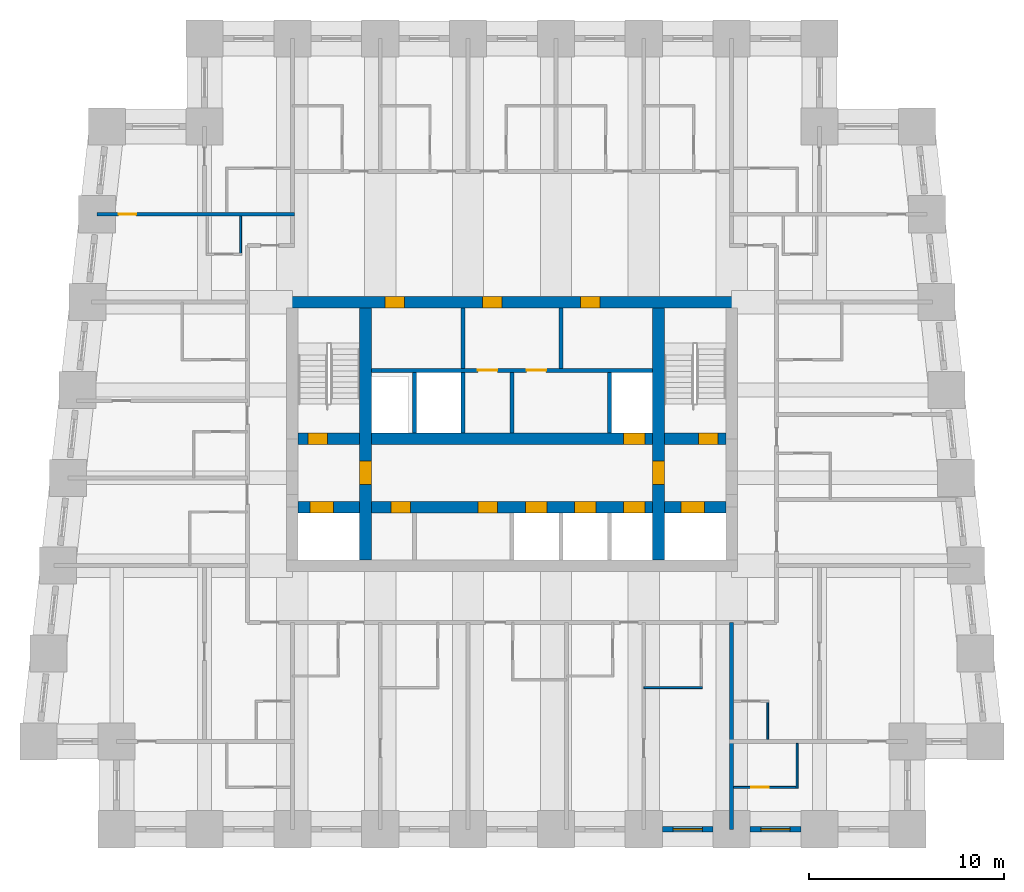
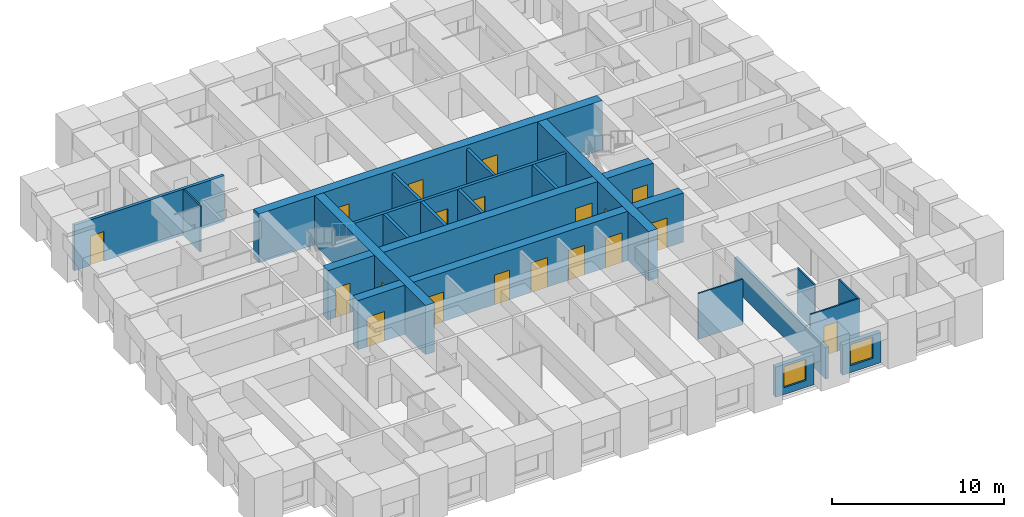
# One storey, part 4 of 8: 21 walls, 19 doors, 2 windows, 21 openings.
"""IFC4 building model written with IfcOpenShell, lengths in metres."""

from ifc_helpers import new_model, si_unit, direction, frame, frame_2d, origin, place, context, subcontext, project, spatial, rectangle, extrude, material, layer, layer_set, type_object, element, fill, save


model = new_model("IFC4")

# Units and contexts
model_context = context("Model", 3, precision=1e-05, world=origin(), true_north=direction((0.0, 1.0)))
body_context = subcontext(model_context, "Body", "Model", "MODEL_VIEW")
ifc_project = project(units=[si_unit("LENGTHUNIT", "METRE"), si_unit("AREAUNIT", "SQUARE_METRE"), si_unit("VOLUMEUNIT", "CUBIC_METRE"), si_unit("PLANEANGLEUNIT", "RADIAN"), si_unit("MASSUNIT", "GRAM", prefix="KILO")], contexts=[model_context])

# Site, building, storey
site_placement = place(None, origin())
site = spatial("IfcSite", under=ifc_project, at=site_placement, CompositionType="ELEMENT")
building_placement = place(site_placement, origin())
building = spatial("IfcBuilding", under=site, at=building_placement, Name="Kilele Tower Hotel", CompositionType="ELEMENT")
storey_placement = place(building_placement, frame((0.0, 0.0, 89.89990234375)))
storey = spatial("IfcBuildingStorey", under=building, at=storey_placement, Name="L22", CompositionType="ELEMENT", Elevation=89.89990234375)

# Walls
ifc_material_1 = material(Name="Moisture-resistant board")
ifc_layer_1 = layer(ifc_material_1, 0.10009765625)
ifc_layer_set_1 = layer_set([ifc_layer_1], Name="Moisture-resistant board")
wall_type_1 = type_object("IfcWallType", Name="Bathroom partition 100", PredefinedType="PLUMBINGWALL", material=ifc_layer_set_1)
wall_1_placement = place(storey_placement, frame((31.5, 7.25, 0.0), z_axis=(0.0, 0.0, 1.0), x_axis=(1.0, 0.0, 0.0)))
element("IfcWall", 1, at=wall_1_placement, inside=storey, type_object=wall_type_1, Name="Bathroom partition 100 L22", PredefinedType="PLUMBINGWALL", context=body_context, shape_type="SweptSolid", body=[
    extrude(rectangle(XDim=3.0, YDim=0.10009765625, at=frame_2d((1.5, 0.0))), origin(), (0.0, 0.0, 1.0), 3.25),
])
wall_2_placement = place(storey_placement, frame((37.85009765625, 4.60009765625, 0.0), z_axis=(0.0, 0.0, 1.0), x_axis=(0.0, 1.0, 0.0)))
element("IfcWall", 2, at=wall_2_placement, inside=storey, type_object=wall_type_1, Name="Bathroom partition 100 L22", PredefinedType="PLUMBINGWALL", context=body_context, shape_type="SweptSolid", body=[
    extrude(rectangle(XDim=2.0, YDim=0.10009765625, at=frame_2d((1.0, 0.0))), origin(), (0.0, 0.0, 1.0), 3.25),
])
wall_3_placement = place(storey_placement, frame((39.35009765625, 4.39990234375, 0.0), z_axis=(0.0, 0.0, 1.0), x_axis=(0.0, -1.0, 0.0)))
element("IfcWall", 3, at=wall_3_placement, inside=storey, type_object=wall_type_1, Name="Bathroom partition 100 L22", PredefinedType="PLUMBINGWALL", context=body_context, shape_type="SweptSolid", body=[
    extrude(rectangle(XDim=2.2998046875, YDim=0.10009765625, at=frame_2d((1.14990234375, 0.0))), origin(), (0.0, 0.0, 1.0), 3.25),
])

# Wall, opening, door
wall_4_placement = place(storey_placement, frame((36.10009765625, 2.14990234375, 0.0), z_axis=(0.0, 0.0, 1.0), x_axis=(1.0, 0.0, 0.0)))
wall_4 = element("IfcWall", 4, at=wall_4_placement, inside=storey, type_object=wall_type_1, Name="Bathroom partition 100 L22", PredefinedType="PLUMBINGWALL", context=body_context, shape_type="SweptSolid", body=[
    extrude(rectangle(XDim=3.2998046875, YDim=0.10009765625, at=frame_2d((1.64990234375, 0.0))), origin(), (0.0, 0.0, 1.0), 3.25),
])
opening_1_placement = place(wall_4_placement, frame((1.7998046875, 0.0, 0.0), z_axis=(0.0, 0.0, 1.0), x_axis=(-1.0, 0.0, 0.0)))
opening_1 = element("IfcOpeningElement", 5, at=opening_1_placement, cuts=wall_4, Name="Opening D2A", PredefinedType="OPENING", context=body_context, shape_type="SweptSolid", body=[
    extrude(rectangle(XDim=0.89990234375, YDim=2.10009765625, at=frame_2d((0.449951171875, 1.050048828125))), frame((0.0, 0.06005859375, 0.0), z_axis=(0.0, -1.0, 0.0), x_axis=(1.0, 0.0, 0.0)), (0.0, 0.0, 1.0), 0.1201171875),
])
ifc_material_2 = material(Name="Timber door leaf in hardwood frame", Category="wood")
door_type_1 = type_object("IfcDoorType", Name="Bathroom door 900", OperationType="SINGLE_SWING_LEFT", PredefinedType="DOOR", material=ifc_material_2)
door_1_placement = place(opening_1_placement, origin())
door_1 = element("IfcDoor", 6, at=door_1_placement, inside=storey, type_object=door_type_1, Name="Bathroom door 2222B", OperationType="SINGLE_SWING_RIGHT", OverallHeight=2.10009765625, OverallWidth=0.89990234375, PredefinedType="DOOR", context=body_context, shape_type="SweptSolid", body=[
    extrude(rectangle(XDim=0.89990234375, YDim=2.10009765625, at=frame_2d((0.449951171875, 1.050048828125))), frame((0.0, 0.02490234375, 0.0), z_axis=(0.0, -1.0, 0.0), x_axis=(1.0, 0.0, 0.0)), (0.0, 0.0, 1.0), 0.050048828125),
])
fill(opening_1, door_1)

# Wall
wall_5_placement = place(storey_placement, frame((10.85009765625, 31.39990234375, 0.0), z_axis=(0.0, 0.0, 1.0), x_axis=(0.0, -1.0, 0.0)))
element("IfcWall", 7, at=wall_5_placement, inside=storey, type_object=wall_type_1, Name="Bathroom partition 100 L22", PredefinedType="PLUMBINGWALL", context=body_context, shape_type="SweptSolid", body=[
    extrude(rectangle(XDim=2.0, YDim=0.10009765625, at=frame_2d((1.0, 0.0))), origin(), (0.0, 0.0, 1.0), 3.25),
])

# Wall, openings, doors
ifc_material_3 = material(Name="Concrete C60/75", Category="concrete")
ifc_layer_2 = layer(ifc_material_3, 0.60009765625)
ifc_layer_set_2 = layer_set([ifc_layer_2], Name="Concrete C60/75")
wall_type_2 = type_object("IfcWallType", Name="Core wall 600 C60/75", PredefinedType="SHEAR", material=ifc_layer_set_2)
wall_6_placement = place(storey_placement, frame((36.300048828125, 27.0, 0.0), z_axis=(0.0, 0.0, 1.0), x_axis=(-1.0, 0.0, 0.0)))
wall_6 = element("IfcWall", 8, at=wall_6_placement, inside=storey, type_object=wall_type_2, Name="Core wall N L22", PredefinedType="SHEAR", context=body_context, shape_type="SweptSolid", body=[
    extrude(rectangle(XDim=23.10009765625, YDim=0.60009765625, at=frame_2d((11.550048828125, 0.0))), origin(), (0.0, 0.0, 1.0), 3.5),
])
opening_2_placement = place(wall_6_placement, frame((17.050048828125, 0.0, 0.0)))
opening_2 = element("IfcOpeningElement", 9, at=opening_2_placement, cuts=wall_6, Name="Opening D6", PredefinedType="OPENING", context=body_context, shape_type="SweptSolid", body=[
    extrude(rectangle(XDim=1.0, YDim=2.10009765625, at=frame_2d((0.5, 1.050048828125))), frame((0.0, 0.31005859375, 0.0), z_axis=(0.0, -1.0, 0.0), x_axis=(1.0, 0.0, 0.0)), (0.0, 0.0, 1.0), 0.6201171875),
])
opening_3_placement = place(wall_6_placement, frame((12.050048828125, 0.0, 0.0)))
opening_3 = element("IfcOpeningElement", 10, at=opening_3_placement, cuts=wall_6, Name="Opening D6", PredefinedType="OPENING", context=body_context, shape_type="SweptSolid", body=[
    extrude(rectangle(XDim=1.0, YDim=2.10009765625, at=frame_2d((0.5, 1.050048828125))), frame((0.0, 0.31005859375, 0.0), z_axis=(0.0, -1.0, 0.0), x_axis=(1.0, 0.0, 0.0)), (0.0, 0.0, 1.0), 0.6201171875),
])
opening_4_placement = place(wall_6_placement, frame((7.050048828125, 0.0, 0.0)))
opening_4 = element("IfcOpeningElement", 11, at=opening_4_placement, cuts=wall_6, Name="Opening D6", PredefinedType="OPENING", context=body_context, shape_type="SweptSolid", body=[
    extrude(rectangle(XDim=1.0, YDim=2.10009765625, at=frame_2d((0.5, 1.050048828125))), frame((0.0, 0.31005859375, 0.0), z_axis=(0.0, -1.0, 0.0), x_axis=(1.0, 0.0, 0.0)), (0.0, 0.0, 1.0), 0.6201171875),
])
ifc_material_4 = material(Name="Timber door leaf in hardwood frame", Category="wood")
door_type_2 = type_object("IfcDoorType", Name="Riser door 1000", OperationType="SINGLE_SWING_LEFT", PredefinedType="DOOR", material=ifc_material_4)
door_2_placement = place(opening_2_placement, origin())
door_2 = element("IfcDoor", 12, at=door_2_placement, inside=storey, type_object=door_type_2, Name="Service riser door L22", OperationType="SINGLE_SWING_RIGHT", OverallHeight=2.10009765625, OverallWidth=1.0, PredefinedType="DOOR", context=body_context, shape_type="SweptSolid", body=[
    extrude(rectangle(XDim=1.0, YDim=2.10009765625, at=frame_2d((0.5, 1.050048828125))), frame((0.0, 0.2998046875, 0.0), z_axis=(0.0, -1.0, 0.0), x_axis=(1.0, 0.0, 0.0)), (0.0, 0.0, 1.0), 0.599609375),
])
fill(opening_2, door_2)
door_3_placement = place(opening_3_placement, origin())
door_3 = element("IfcDoor", 13, at=door_3_placement, inside=storey, type_object=door_type_2, Name="Housekeeping store door L22", OperationType="SINGLE_SWING_RIGHT", OverallHeight=2.10009765625, OverallWidth=1.0, PredefinedType="DOOR", context=body_context, shape_type="SweptSolid", body=[
    extrude(rectangle(XDim=1.0, YDim=2.10009765625, at=frame_2d((0.5, 1.050048828125))), frame((0.0, 0.2998046875, 0.0), z_axis=(0.0, -1.0, 0.0), x_axis=(1.0, 0.0, 0.0)), (0.0, 0.0, 1.0), 0.599609375),
])
fill(opening_3, door_3)
door_4_placement = place(opening_4_placement, origin())
door_4 = element("IfcDoor", 14, at=door_4_placement, inside=storey, type_object=door_type_2, Name="Electrical riser door L22", OperationType="SINGLE_SWING_RIGHT", OverallHeight=2.10009765625, OverallWidth=1.0, PredefinedType="DOOR", context=body_context, shape_type="SweptSolid", body=[
    extrude(rectangle(XDim=1.0, YDim=2.10009765625, at=frame_2d((0.5, 1.050048828125))), frame((0.0, 0.2998046875, 0.0), z_axis=(0.0, -1.0, 0.0), x_axis=(1.0, 0.0, 0.0)), (0.0, 0.0, 1.0), 0.599609375),
])
fill(opening_4, door_4)

# Wall, opening, door
wall_7_placement = place(storey_placement, frame((17.25, 13.800048828125, 0.0), z_axis=(0.0, 0.0, 1.0), x_axis=(0.0, 1.0, 0.0)))
wall_7 = element("IfcWall", 15, at=wall_7_placement, inside=storey, type_object=wall_type_2, Name="Core wall IW L22", PredefinedType="SHEAR", context=body_context, shape_type="SweptSolid", body=[
    extrude(rectangle(XDim=12.89990234375, YDim=0.60009765625, at=frame_2d((6.449951171875, 0.0))), origin(), (0.0, 0.0, 1.0), 3.5),
])
opening_5_placement = place(wall_7_placement, frame((3.85009765625, 0.0, 0.0)))
opening_5 = element("IfcOpeningElement", 16, at=opening_5_placement, cuts=wall_7, Name="Opening D4", PredefinedType="OPENING", context=body_context, shape_type="SweptSolid", body=[
    extrude(rectangle(XDim=1.199951171875, YDim=2.10009765625, at=frame_2d((0.60009765625, 1.050048828125))), frame((0.0, 0.31005859375, 0.0), z_axis=(0.0, -1.0, 0.0), x_axis=(1.0, 0.0, 0.0)), (0.0, 0.0, 1.0), 0.6201171875),
])
ifc_material_5 = material(Name="Timber door leaf in hardwood frame", Category="wood")
door_type_3 = type_object("IfcDoorType", Name="Firefighting lobby door 1200", OperationType="SINGLE_SWING_LEFT", PredefinedType="DOOR", material=ifc_material_5)
door_5_placement = place(opening_5_placement, origin())
door_5 = element("IfcDoor", 17, at=door_5_placement, inside=storey, type_object=door_type_3, Name="Lobby door L22", OperationType="SINGLE_SWING_LEFT", OverallHeight=2.10009765625, OverallWidth=1.199951171875, PredefinedType="DOOR", context=body_context, shape_type="SweptSolid", body=[
    extrude(rectangle(XDim=1.199951171875, YDim=2.10009765625, at=frame_2d((0.60009765625, 1.050048828125))), frame((0.0, 0.2998046875, 0.0), z_axis=(0.0, -1.0, 0.0), x_axis=(1.0, 0.0, 0.0)), (0.0, 0.0, 1.0), 0.599609375),
])
fill(opening_5, door_5)

wall_8_placement = place(storey_placement, frame((32.25, 13.800048828125, 0.0), z_axis=(0.0, 0.0, 1.0), x_axis=(0.0, 1.0, 0.0)))
wall_8 = element("IfcWall", 18, at=wall_8_placement, inside=storey, type_object=wall_type_2, Name="Core wall IE L22", PredefinedType="SHEAR", context=body_context, shape_type="SweptSolid", body=[
    extrude(rectangle(XDim=12.89990234375, YDim=0.60009765625, at=frame_2d((6.449951171875, 0.0))), origin(), (0.0, 0.0, 1.0), 3.5),
])
opening_6_placement = place(wall_8_placement, frame((5.050048828125, 0.0, 0.0), z_axis=(0.0, 0.0, 1.0), x_axis=(-1.0, 0.0, 0.0)))
opening_6 = element("IfcOpeningElement", 19, at=opening_6_placement, cuts=wall_8, Name="Opening D4", PredefinedType="OPENING", context=body_context, shape_type="SweptSolid", body=[
    extrude(rectangle(XDim=1.199951171875, YDim=2.10009765625, at=frame_2d((0.60009765625, 1.050048828125))), frame((0.0, 0.31005859375, 0.0), z_axis=(0.0, -1.0, 0.0), x_axis=(1.0, 0.0, 0.0)), (0.0, 0.0, 1.0), 0.6201171875),
])
door_6_placement = place(opening_6_placement, origin())
door_6 = element("IfcDoor", 20, at=door_6_placement, inside=storey, type_object=door_type_3, Name="Lobby door L22", OperationType="SINGLE_SWING_RIGHT", OverallHeight=2.10009765625, OverallWidth=1.199951171875, PredefinedType="DOOR", context=body_context, shape_type="SweptSolid", body=[
    extrude(rectangle(XDim=1.199951171875, YDim=2.10009765625, at=frame_2d((0.60009765625, 1.050048828125))), frame((0.0, 0.2998046875, 0.0), z_axis=(0.0, -1.0, 0.0), x_axis=(1.0, 0.0, 0.0)), (0.0, 0.0, 1.0), 0.599609375),
])
fill(opening_6, door_6)

# Wall, openings, doors
wall_9_placement = place(storey_placement, frame((13.800048828125, 16.5, 0.0), z_axis=(0.0, 0.0, 1.0), x_axis=(1.0, 0.0, 0.0)))
wall_9 = element("IfcWall", 21, at=wall_9_placement, inside=storey, type_object=wall_type_2, Name="Core wall LS L22", PredefinedType="SHEAR", context=body_context, shape_type="SweptSolid", body=[
    extrude(rectangle(XDim=21.89990234375, YDim=0.60009765625, at=frame_2d((10.949951171875, 0.0))), origin(), (0.0, 0.0, 1.0), 3.5),
])
opening_7_placement = place(wall_9_placement, frame((11.64990234375, 0.0, 0.0)))
opening_7 = element("IfcOpeningElement", 22, at=opening_7_placement, cuts=wall_9, Name="Opening LD1", PredefinedType="OPENING", context=body_context, shape_type="SweptSolid", body=[
    extrude(rectangle(XDim=1.10009765625, YDim=2.10009765625, at=frame_2d((0.550048828125, 1.050048828125))), frame((0.0, 0.31005859375, 0.0), z_axis=(0.0, -1.0, 0.0), x_axis=(1.0, 0.0, 0.0)), (0.0, 0.0, 1.0), 0.6201171875),
])
opening_8_placement = place(wall_9_placement, frame((14.14990234375, 0.0, 0.0)))
opening_8 = element("IfcOpeningElement", 23, at=opening_8_placement, cuts=wall_9, Name="Opening LD1", PredefinedType="OPENING", context=body_context, shape_type="SweptSolid", body=[
    extrude(rectangle(XDim=1.10009765625, YDim=2.10009765625, at=frame_2d((0.550048828125, 1.050048828125))), frame((0.0, 0.31005859375, 0.0), z_axis=(0.0, -1.0, 0.0), x_axis=(1.0, 0.0, 0.0)), (0.0, 0.0, 1.0), 0.6201171875),
])
opening_9_placement = place(wall_9_placement, frame((16.64990234375, 0.0, 0.0)))
opening_9 = element("IfcOpeningElement", 24, at=opening_9_placement, cuts=wall_9, Name="Opening LD1", PredefinedType="OPENING", context=body_context, shape_type="SweptSolid", body=[
    extrude(rectangle(XDim=1.10009765625, YDim=2.10009765625, at=frame_2d((0.550048828125, 1.050048828125))), frame((0.0, 0.31005859375, 0.0), z_axis=(0.0, -1.0, 0.0), x_axis=(1.0, 0.0, 0.0)), (0.0, 0.0, 1.0), 0.6201171875),
])
opening_10_placement = place(wall_9_placement, frame((5.75, 0.0, 0.0), z_axis=(0.0, 0.0, 1.0), x_axis=(-1.0, 0.0, 0.0)))
opening_10 = element("IfcOpeningElement", 25, at=opening_10_placement, cuts=wall_9, Name="Opening D11", PredefinedType="OPENING", context=body_context, shape_type="SweptSolid", body=[
    extrude(rectangle(XDim=1.0, YDim=2.10009765625, at=frame_2d((0.5, 1.050048828125))), frame((0.0, 0.31005859375, 0.0), z_axis=(0.0, -1.0, 0.0), x_axis=(1.0, 0.0, 0.0)), (0.0, 0.0, 1.0), 0.6201171875),
])
opening_11_placement = place(wall_9_placement, frame((10.199951171875, 0.0, 0.0), z_axis=(0.0, 0.0, 1.0), x_axis=(-1.0, 0.0, 0.0)))
opening_11 = element("IfcOpeningElement", 26, at=opening_11_placement, cuts=wall_9, Name="Opening D11", PredefinedType="OPENING", context=body_context, shape_type="SweptSolid", body=[
    extrude(rectangle(XDim=1.0, YDim=2.10009765625, at=frame_2d((0.5, 1.050048828125))), frame((0.0, 0.31005859375, 0.0), z_axis=(0.0, -1.0, 0.0), x_axis=(1.0, 0.0, 0.0)), (0.0, 0.0, 1.0), 0.6201171875),
])
opening_12_placement = place(wall_9_placement, frame((0.60009765625, 0.0, 0.0)))
opening_12 = element("IfcOpeningElement", 27, at=opening_12_placement, cuts=wall_9, Name="Opening LD2", PredefinedType="OPENING", context=body_context, shape_type="SweptSolid", body=[
    extrude(rectangle(XDim=1.199951171875, YDim=2.10009765625, at=frame_2d((0.60009765625, 1.050048828125))), frame((0.0, 0.31005859375, 0.0), z_axis=(0.0, -1.0, 0.0), x_axis=(1.0, 0.0, 0.0)), (0.0, 0.0, 1.0), 0.6201171875),
])
opening_13_placement = place(wall_9_placement, frame((19.60009765625, 0.0, 0.0)))
opening_13 = element("IfcOpeningElement", 28, at=opening_13_placement, cuts=wall_9, Name="Opening LD2", PredefinedType="OPENING", context=body_context, shape_type="SweptSolid", body=[
    extrude(rectangle(XDim=1.199951171875, YDim=2.10009765625, at=frame_2d((0.60009765625, 1.050048828125))), frame((0.0, 0.31005859375, 0.0), z_axis=(0.0, -1.0, 0.0), x_axis=(1.0, 0.0, 0.0)), (0.0, 0.0, 1.0), 0.6201171875),
])
ifc_material_6 = material(Name="Timber door leaf in hardwood frame", Category="wood")
door_type_4 = type_object("IfcDoorType", Name="Core store door 1000", OperationType="SINGLE_SWING_LEFT", PredefinedType="DOOR", material=ifc_material_6)
door_7_placement = place(opening_10_placement, origin())
door_7 = element("IfcDoor", 29, at=door_7_placement, inside=storey, type_object=door_type_4, Name="Core room door L1 L22", OperationType="SINGLE_SWING_LEFT", OverallHeight=2.10009765625, OverallWidth=1.0, PredefinedType="DOOR", context=body_context, shape_type="SweptSolid", body=[
    extrude(rectangle(XDim=1.0, YDim=2.10009765625, at=frame_2d((0.5, 1.050048828125))), frame((0.0, 0.2998046875, 0.0), z_axis=(0.0, -1.0, 0.0), x_axis=(1.0, 0.0, 0.0)), (0.0, 0.0, 1.0), 0.599609375),
])
fill(opening_10, door_7)
door_8_placement = place(opening_11_placement, origin())
door_8 = element("IfcDoor", 30, at=door_8_placement, inside=storey, type_object=door_type_4, Name="Core room door L3 L22", OperationType="SINGLE_SWING_LEFT", OverallHeight=2.10009765625, OverallWidth=1.0, PredefinedType="DOOR", context=body_context, shape_type="SweptSolid", body=[
    extrude(rectangle(XDim=1.0, YDim=2.10009765625, at=frame_2d((0.5, 1.050048828125))), frame((0.0, 0.2998046875, 0.0), z_axis=(0.0, -1.0, 0.0), x_axis=(1.0, 0.0, 0.0)), (0.0, 0.0, 1.0), 0.599609375),
])
fill(opening_11, door_8)
ifc_material_7 = material(Name="Steel lift landing door", Category="steel")
door_type_5 = type_object("IfcDoorType", Name="Firefighting lift landing door 1200", OperationType="SLIDING_TO_LEFT", PredefinedType="DOOR", material=ifc_material_7)
door_9_placement = place(opening_12_placement, origin())
door_9 = element("IfcDoor", 31, at=door_9_placement, inside=storey, type_object=door_type_5, Name="Landing door FFW L22", OperationType="SLIDING_TO_LEFT", OverallHeight=2.10009765625, OverallWidth=1.199951171875, PredefinedType="DOOR", context=body_context, shape_type="SweptSolid", body=[
    extrude(rectangle(XDim=1.199951171875, YDim=2.10009765625, at=frame_2d((0.60009765625, 1.050048828125))), frame((0.0, 0.2998046875, 0.0), z_axis=(0.0, -1.0, 0.0), x_axis=(1.0, 0.0, 0.0)), (0.0, 0.0, 1.0), 0.599609375),
])
fill(opening_12, door_9)
door_10_placement = place(opening_13_placement, origin())
door_10 = element("IfcDoor", 32, at=door_10_placement, inside=storey, type_object=door_type_5, Name="Landing door FFE L22", OperationType="SLIDING_TO_LEFT", OverallHeight=2.10009765625, OverallWidth=1.199951171875, PredefinedType="DOOR", context=body_context, shape_type="SweptSolid", body=[
    extrude(rectangle(XDim=1.199951171875, YDim=2.10009765625, at=frame_2d((0.60009765625, 1.050048828125))), frame((0.0, 0.2998046875, 0.0), z_axis=(0.0, -1.0, 0.0), x_axis=(1.0, 0.0, 0.0)), (0.0, 0.0, 1.0), 0.599609375),
])
fill(opening_13, door_10)
ifc_material_8 = material(Name="Steel lift landing door", Category="steel")
door_type_6 = type_object("IfcDoorType", Name="Lift landing door 1100", OperationType="SLIDING_TO_LEFT", PredefinedType="DOOR", material=ifc_material_8)
door_11_placement = place(opening_7_placement, origin())
door_11 = element("IfcDoor", 33, at=door_11_placement, inside=storey, type_object=door_type_6, Name="Landing door M1 L22", OperationType="SLIDING_TO_LEFT", OverallHeight=2.10009765625, OverallWidth=1.10009765625, PredefinedType="DOOR", context=body_context, shape_type="SweptSolid", body=[
    extrude(rectangle(XDim=1.10009765625, YDim=2.10009765625, at=frame_2d((0.550048828125, 1.050048828125))), frame((0.0, 0.2998046875, 0.0), z_axis=(0.0, -1.0, 0.0), x_axis=(1.0, 0.0, 0.0)), (0.0, 0.0, 1.0), 0.599609375),
])
fill(opening_7, door_11)
door_12_placement = place(opening_8_placement, origin())
door_12 = element("IfcDoor", 34, at=door_12_placement, inside=storey, type_object=door_type_6, Name="Landing door M2 L22", OperationType="SLIDING_TO_LEFT", OverallHeight=2.10009765625, OverallWidth=1.10009765625, PredefinedType="DOOR", context=body_context, shape_type="SweptSolid", body=[
    extrude(rectangle(XDim=1.10009765625, YDim=2.10009765625, at=frame_2d((0.550048828125, 1.050048828125))), frame((0.0, 0.2998046875, 0.0), z_axis=(0.0, -1.0, 0.0), x_axis=(1.0, 0.0, 0.0)), (0.0, 0.0, 1.0), 0.599609375),
])
fill(opening_8, door_12)
door_13_placement = place(opening_9_placement, origin())
door_13 = element("IfcDoor", 35, at=door_13_placement, inside=storey, type_object=door_type_6, Name="Landing door M3 L22", OperationType="SLIDING_TO_LEFT", OverallHeight=2.10009765625, OverallWidth=1.10009765625, PredefinedType="DOOR", context=body_context, shape_type="SweptSolid", body=[
    extrude(rectangle(XDim=1.10009765625, YDim=2.10009765625, at=frame_2d((0.550048828125, 1.050048828125))), frame((0.0, 0.2998046875, 0.0), z_axis=(0.0, -1.0, 0.0), x_axis=(1.0, 0.0, 0.0)), (0.0, 0.0, 1.0), 0.599609375),
])
fill(opening_9, door_13)

wall_10_placement = place(storey_placement, frame((13.800048828125, 20.0, 0.0), z_axis=(0.0, 0.0, 1.0), x_axis=(1.0, 0.0, 0.0)))
wall_10 = element("IfcWall", 36, at=wall_10_placement, inside=storey, type_object=wall_type_2, Name="Core wall LN L22", PredefinedType="SHEAR", context=body_context, shape_type="SweptSolid", body=[
    extrude(rectangle(XDim=21.89990234375, YDim=0.60009765625, at=frame_2d((10.949951171875, 0.0))), origin(), (0.0, 0.0, 1.0), 3.5),
])
opening_14_placement = place(wall_10_placement, frame((0.5, 0.0, 0.0)))
opening_14 = element("IfcOpeningElement", 37, at=opening_14_placement, cuts=wall_10, Name="Opening D5", PredefinedType="OPENING", context=body_context, shape_type="SweptSolid", body=[
    extrude(rectangle(XDim=1.0, YDim=2.10009765625, at=frame_2d((0.5, 1.050048828125))), frame((0.0, 0.31005859375, 0.0), z_axis=(0.0, -1.0, 0.0), x_axis=(1.0, 0.0, 0.0)), (0.0, 0.0, 1.0), 0.6201171875),
])
opening_15_placement = place(wall_10_placement, frame((20.5, 0.0, 0.0)))
opening_15 = element("IfcOpeningElement", 38, at=opening_15_placement, cuts=wall_10, Name="Opening D5", PredefinedType="OPENING", context=body_context, shape_type="SweptSolid", body=[
    extrude(rectangle(XDim=1.0, YDim=2.10009765625, at=frame_2d((0.5, 1.050048828125))), frame((0.0, 0.31005859375, 0.0), z_axis=(0.0, -1.0, 0.0), x_axis=(1.0, 0.0, 0.0)), (0.0, 0.0, 1.0), 0.6201171875),
])
opening_16_placement = place(wall_10_placement, frame((16.64990234375, 0.0, 0.0)))
opening_16 = element("IfcOpeningElement", 39, at=opening_16_placement, cuts=wall_10, Name="Opening LD1", PredefinedType="OPENING", context=body_context, shape_type="SweptSolid", body=[
    extrude(rectangle(XDim=1.10009765625, YDim=2.10009765625, at=frame_2d((0.550048828125, 1.050048828125))), frame((0.0, 0.31005859375, 0.0), z_axis=(0.0, -1.0, 0.0), x_axis=(1.0, 0.0, 0.0)), (0.0, 0.0, 1.0), 0.6201171875),
])
door_14_placement = place(opening_16_placement, origin())
door_14 = element("IfcDoor", 40, at=door_14_placement, inside=storey, type_object=door_type_6, Name="Landing door G1 L22", OperationType="SLIDING_TO_LEFT", OverallHeight=2.10009765625, OverallWidth=1.10009765625, PredefinedType="DOOR", context=body_context, shape_type="SweptSolid", body=[
    extrude(rectangle(XDim=1.10009765625, YDim=2.10009765625, at=frame_2d((0.550048828125, 1.050048828125))), frame((0.0, 0.2998046875, 0.0), z_axis=(0.0, -1.0, 0.0), x_axis=(1.0, 0.0, 0.0)), (0.0, 0.0, 1.0), 0.599609375),
])
fill(opening_16, door_14)
ifc_material_9 = material(Name="Timber door leaf in hardwood frame", Category="wood")
door_type_7 = type_object("IfcDoorType", Name="Stair door 1000", OperationType="SINGLE_SWING_LEFT", PredefinedType="DOOR", material=ifc_material_9)
door_15_placement = place(opening_14_placement, origin())
door_15 = element("IfcDoor", 41, at=door_15_placement, inside=storey, type_object=door_type_7, Name="Stair 1 door L22", OperationType="SINGLE_SWING_LEFT", OverallHeight=2.10009765625, OverallWidth=1.0, PredefinedType="DOOR", context=body_context, shape_type="SweptSolid", body=[
    extrude(rectangle(XDim=1.0, YDim=2.10009765625, at=frame_2d((0.5, 1.050048828125))), frame((0.0, 0.2998046875, 0.0), z_axis=(0.0, -1.0, 0.0), x_axis=(1.0, 0.0, 0.0)), (0.0, 0.0, 1.0), 0.599609375),
])
fill(opening_14, door_15)
door_16_placement = place(opening_15_placement, origin())
door_16 = element("IfcDoor", 42, at=door_16_placement, inside=storey, type_object=door_type_7, Name="Stair 2 door L22", OperationType="SINGLE_SWING_RIGHT", OverallHeight=2.10009765625, OverallWidth=1.0, PredefinedType="DOOR", context=body_context, shape_type="SweptSolid", body=[
    extrude(rectangle(XDim=1.0, YDim=2.10009765625, at=frame_2d((0.5, 1.050048828125))), frame((0.0, 0.2998046875, 0.0), z_axis=(0.0, -1.0, 0.0), x_axis=(1.0, 0.0, 0.0)), (0.0, 0.0, 1.0), 0.599609375),
])
fill(opening_15, door_16)

# Wall
ifc_material_10 = material(Name="Blockwork, plastered both sides", Category="masonry")
ifc_layer_3 = layer(ifc_material_10, 0.199951171875)
ifc_layer_set_3 = layer_set([ifc_layer_3], Name="Blockwork, plastered both sides")
wall_type_3 = type_object("IfcWallType", Name="Party wall 200", PredefinedType="PARTITIONING", material=ifc_layer_set_3)
wall_11_placement = place(storey_placement, frame((36.0, 10.60009765625, 0.0), z_axis=(0.0, 0.0, 1.0), x_axis=(0.0, -1.0, 0.0)))
element("IfcWall", 43, at=wall_11_placement, inside=storey, type_object=wall_type_3, Name="Party wall 200 L22", PredefinedType="PARTITIONING", context=body_context, shape_type="SweptSolid", body=[
    extrude(rectangle(XDim=10.60009765625, YDim=0.199951171875, at=frame_2d((5.300048828125, 0.0))), origin(), (0.0, 0.0, 1.0), 2.25),
])

# Wall, opening, door
wall_12_placement = place(storey_placement, frame((13.60009765625, 31.5, 0.0), z_axis=(0.0, 0.0, 1.0), x_axis=(-1.0, 0.0, 0.0)))
wall_12 = element("IfcWall", 44, at=wall_12_placement, inside=storey, type_object=wall_type_3, Name="Party wall 200 L22", PredefinedType="PARTITIONING", context=body_context, shape_type="SweptSolid", body=[
    extrude(rectangle(XDim=10.09912109375, YDim=0.199951171875, at=frame_2d((5.049560546875, 0.0))), origin(), (0.0, 0.0, 1.0), 3.25),
])
opening_17_placement = place(wall_12_placement, frame((8.9990234375, 0.0, 0.0), z_axis=(0.0, 0.0, 1.0), x_axis=(-1.0, 0.0, 0.0)))
opening_17 = element("IfcOpeningElement", 45, at=opening_17_placement, cuts=wall_12, Name="Opening D3", PredefinedType="OPENING", context=body_context, shape_type="SweptSolid", body=[
    extrude(rectangle(XDim=0.89990234375, YDim=2.10009765625, at=frame_2d((0.449951171875, 1.050048828125))), frame((0.0, 0.10986328125, 0.0), z_axis=(0.0, -1.0, 0.0), x_axis=(1.0, 0.0, 0.0)), (0.0, 0.0, 1.0), 0.219970703125),
])
ifc_material_11 = material(Name="Timber door leaf in hardwood frame", Category="wood")
door_type_8 = type_object("IfcDoorType", Name="Suite internal door 900", OperationType="SINGLE_SWING_LEFT", PredefinedType="DOOR", material=ifc_material_11)
door_17_placement = place(opening_17_placement, origin())
door_17 = element("IfcDoor", 46, at=door_17_placement, inside=storey, type_object=door_type_8, Name="Suite door 2227", OperationType="SINGLE_SWING_LEFT", OverallHeight=2.10009765625, OverallWidth=0.89990234375, PredefinedType="DOOR", context=body_context, shape_type="SweptSolid", body=[
    extrude(rectangle(XDim=0.89990234375, YDim=2.10009765625, at=frame_2d((0.449951171875, 1.050048828125))), frame((0.0, 0.02490234375, 0.0), z_axis=(0.0, -1.0, 0.0), x_axis=(1.0, 0.0, 0.0)), (0.0, 0.0, 1.0), 0.050048828125),
])
fill(opening_17, door_17)

# Wall, opening, window
ifc_material_12 = material(Name="Concrete C40/50 precast", Category="concrete")
ifc_layer_4 = layer(ifc_material_12, 0.260009765625, Name="Precast backing", Category="LoadBearing")
ifc_material_13 = material(Name="Reconstituted stone finish", Category="masonry")
ifc_layer_5 = layer(ifc_material_13, 0.0400390625, Name="Face mix", Category="Finish")
ifc_layer_set_4 = layer_set([ifc_layer_4, ifc_layer_5], Name="Precast concrete C40/50, reconstituted stone finish")
wall_type_4 = type_object("IfcWallType", Name="Precast stone facade wall 300", PredefinedType="STANDARD", material=ifc_layer_set_4)
wall_13_placement = place(storey_placement, frame((32.449951171875, 0.0, 0.0), z_axis=(0.0, 0.0, 1.0), x_axis=(1.0, 0.0, 0.0)))
wall_13 = element("IfcWall", 47, at=wall_13_placement, inside=storey, type_object=wall_type_4, Name="Facade wall L22 edge 3 bay 7", PredefinedType="STANDARD", context=body_context, shape_type="SweptSolid", body=[
    extrude(rectangle(XDim=2.60009765625, YDim=0.300048828125, at=frame_2d((1.300048828125, 0.0))), origin(), (0.0, 0.0, 1.0), 2.150146484375),
])
opening_18_placement = place(wall_13_placement, frame((0.550048828125, 0.0, 0.5)))
opening_18 = element("IfcOpeningElement", 48, at=opening_18_placement, cuts=wall_13, Name="Opening W2", PredefinedType="OPENING", context=body_context, shape_type="SweptSolid", body=[
    extrude(rectangle(XDim=1.5, YDim=1.5, at=frame_2d((0.75, 0.75))), frame((0.0, 0.159912109375, 0.0), z_axis=(0.0, -1.0, 0.0), x_axis=(1.0, 0.0, 0.0)), (0.0, 0.0, 1.0), 0.320068359375),
])
ifc_material_14 = material(Name="Aluminium frame, clear double glazing", Category="aluminium")
window_type = type_object("IfcWindowType", Name="Window W2 1500 x 1500", PartitioningType="SINGLE_PANEL", PredefinedType="WINDOW", material=ifc_material_14)
window_1_placement = place(opening_18_placement, origin())
window_1 = element("IfcWindow", 49, at=window_1_placement, inside=storey, type_object=window_type, Name="Window L22", OverallHeight=1.5, OverallWidth=1.5, PartitioningType="SINGLE_PANEL", PredefinedType="WINDOW", context=body_context, shape_type="SweptSolid", body=[
    extrude(rectangle(XDim=1.5, YDim=1.5, at=frame_2d((0.75, 0.75))), frame((0.0, 0.030029296875, 0.0), z_axis=(0.0, -1.0, 0.0), x_axis=(1.0, 0.0, 0.0)), (0.0, 0.0, 1.0), 0.06005859375),
])
fill(opening_18, window_1)

wall_14_placement = place(storey_placement, frame((36.949951171875, 0.0, 0.0), z_axis=(0.0, 0.0, 1.0), x_axis=(1.0, 0.0, 0.0)))
wall_14 = element("IfcWall", 50, at=wall_14_placement, inside=storey, type_object=wall_type_4, Name="Facade wall L22 edge 3 bay 8", PredefinedType="STANDARD", context=body_context, shape_type="SweptSolid", body=[
    extrude(rectangle(XDim=2.60009765625, YDim=0.300048828125, at=frame_2d((1.300048828125, 0.0))), origin(), (0.0, 0.0, 1.0), 2.150146484375),
])
opening_19_placement = place(wall_14_placement, frame((0.550048828125, 0.0, 0.5)))
opening_19 = element("IfcOpeningElement", 51, at=opening_19_placement, cuts=wall_14, Name="Opening W2", PredefinedType="OPENING", context=body_context, shape_type="SweptSolid", body=[
    extrude(rectangle(XDim=1.5, YDim=1.5, at=frame_2d((0.75, 0.75))), frame((0.0, 0.159912109375, 0.0), z_axis=(0.0, -1.0, 0.0), x_axis=(1.0, 0.0, 0.0)), (0.0, 0.0, 1.0), 0.320068359375),
])
window_2_placement = place(opening_19_placement, origin())
window_2 = element("IfcWindow", 52, at=window_2_placement, inside=storey, type_object=window_type, Name="Window L22", OverallHeight=1.5, OverallWidth=1.5, PartitioningType="SINGLE_PANEL", PredefinedType="WINDOW", context=body_context, shape_type="SweptSolid", body=[
    extrude(rectangle(XDim=1.5, YDim=1.5, at=frame_2d((0.75, 0.75))), frame((0.0, 0.030029296875, 0.0), z_axis=(0.0, -1.0, 0.0), x_axis=(1.0, 0.0, 0.0)), (0.0, 0.0, 1.0), 0.06005859375),
])
fill(opening_19, window_2)

# Walls
ifc_material_15 = material(Name="Blockwork, fire-rated", Category="masonry")
ifc_layer_6 = layer(ifc_material_15, 0.199951171875)
ifc_layer_set_5 = layer_set([ifc_layer_6], Name="Blockwork, fire-rated")
wall_type_5 = type_object("IfcWallType", Name="Shaft wall 200", PredefinedType="PARTITIONING", material=ifc_layer_set_5)
for number, where, z_axis, x_axis, name in (
    (53, (19.75, 20.300048828125, 0.0), (0.0, 0.0, 1.0), (0.0, 1.0, 0.0), "Shaft wall 200 L22"),
    (54, (22.25, 20.300048828125, 0.0), (0.0, 0.0, 1.0), (0.0, 1.0, 0.0), "Shaft wall 200 L22"),
    (55, (24.75, 20.300048828125, 0.0), (0.0, 0.0, 1.0), (0.0, 1.0, 0.0), "Shaft wall 200 L22"),
    (56, (29.75, 20.300048828125, 0.0), (0.0, 0.0, 1.0), (0.0, 1.0, 0.0), "Shaft wall 200 L22"),
):
    element("IfcWall", number, at=place(storey_placement, frame(where, z_axis=z_axis, x_axis=x_axis)), inside=storey, type_object=wall_type_5, Name=name, PredefinedType="PARTITIONING", context=body_context, shape_type="SweptSolid", body=[
        extrude(rectangle(XDim=3.099853515625, YDim=0.199951171875, at=frame_2d((1.5498046875, 0.0))), origin(), (0.0, 0.0, 1.0), 3.25),
    ])

# Wall, openings, doors
wall_15_placement = place(storey_placement, frame((17.550048828125, 23.5, 0.0), z_axis=(0.0, 0.0, 1.0), x_axis=(1.0, 0.0, 0.0)))
wall_15 = element("IfcWall", 57, at=wall_15_placement, inside=storey, type_object=wall_type_5, Name="Shaft wall 200 L22", PredefinedType="PARTITIONING", context=body_context, shape_type="SweptSolid", body=[
    extrude(rectangle(XDim=14.39990234375, YDim=0.199951171875, at=frame_2d((7.199951171875, 0.0))), origin(), (0.0, 0.0, 1.0), 3.25),
])
opening_20_placement = place(wall_15_placement, frame((6.449951171875, 0.0, 0.0), z_axis=(0.0, 0.0, 1.0), x_axis=(-1.0, 0.0, 0.0)))
opening_20 = element("IfcOpeningElement", 58, at=opening_20_placement, cuts=wall_15, Name="Opening D11", PredefinedType="OPENING", context=body_context, shape_type="SweptSolid", body=[
    extrude(rectangle(XDim=1.0, YDim=2.10009765625, at=frame_2d((0.5, 1.050048828125))), frame((0.0, 0.10986328125, 0.0), z_axis=(0.0, -1.0, 0.0), x_axis=(1.0, 0.0, 0.0)), (0.0, 0.0, 1.0), 0.219970703125),
])
opening_21_placement = place(wall_15_placement, frame((7.949951171875, 0.0, 0.0)))
opening_21 = element("IfcOpeningElement", 59, at=opening_21_placement, cuts=wall_15, Name="Opening D11", PredefinedType="OPENING", context=body_context, shape_type="SweptSolid", body=[
    extrude(rectangle(XDim=1.0, YDim=2.10009765625, at=frame_2d((0.5, 1.050048828125))), frame((0.0, 0.10986328125, 0.0), z_axis=(0.0, -1.0, 0.0), x_axis=(1.0, 0.0, 0.0)), (0.0, 0.0, 1.0), 0.219970703125),
])
door_18_placement = place(opening_20_placement, origin())
door_18 = element("IfcDoor", 60, at=door_18_placement, inside=storey, type_object=door_type_4, Name="Core room door H1", OperationType="SINGLE_SWING_RIGHT", OverallHeight=2.10009765625, OverallWidth=1.0, PredefinedType="DOOR", context=body_context, shape_type="SweptSolid", body=[
    extrude(rectangle(XDim=1.0, YDim=2.10009765625, at=frame_2d((0.5, 1.050048828125))), frame((0.0, 0.02490234375, 0.0), z_axis=(0.0, -1.0, 0.0), x_axis=(1.0, 0.0, 0.0)), (0.0, 0.0, 1.0), 0.050048828125),
])
fill(opening_20, door_18)
door_19_placement = place(opening_21_placement, origin())
door_19 = element("IfcDoor", 61, at=door_19_placement, inside=storey, type_object=door_type_4, Name="Core room door H2", OperationType="SINGLE_SWING_RIGHT", OverallHeight=2.10009765625, OverallWidth=1.0, PredefinedType="DOOR", context=body_context, shape_type="SweptSolid", body=[
    extrude(rectangle(XDim=1.0, YDim=2.10009765625, at=frame_2d((0.5, 1.050048828125))), frame((0.0, 0.02490234375, 0.0), z_axis=(0.0, -1.0, 0.0), x_axis=(1.0, 0.0, 0.0)), (0.0, 0.0, 1.0), 0.050048828125),
])
fill(opening_21, door_19)

# Walls
for number, where, z_axis, x_axis, name in (
    (62, (22.25, 23.60009765625, 0.0), (0.0, 0.0, 1.0), (0.0, 1.0, 0.0), "Shaft wall 200 L22"),
    (63, (27.25, 23.60009765625, 0.0), (0.0, 0.0, 1.0), (0.0, 1.0, 0.0), "Shaft wall 200 L22"),
):
    element("IfcWall", number, at=place(storey_placement, frame(where, z_axis=z_axis, x_axis=x_axis)), inside=storey, type_object=wall_type_5, Name=name, PredefinedType="PARTITIONING", context=body_context, shape_type="SweptSolid", body=[
        extrude(rectangle(XDim=3.099853515625, YDim=0.199951171875, at=frame_2d((1.5498046875, 0.0))), origin(), (0.0, 0.0, 1.0), 3.25),
    ])

save(model, "model.ifc")
